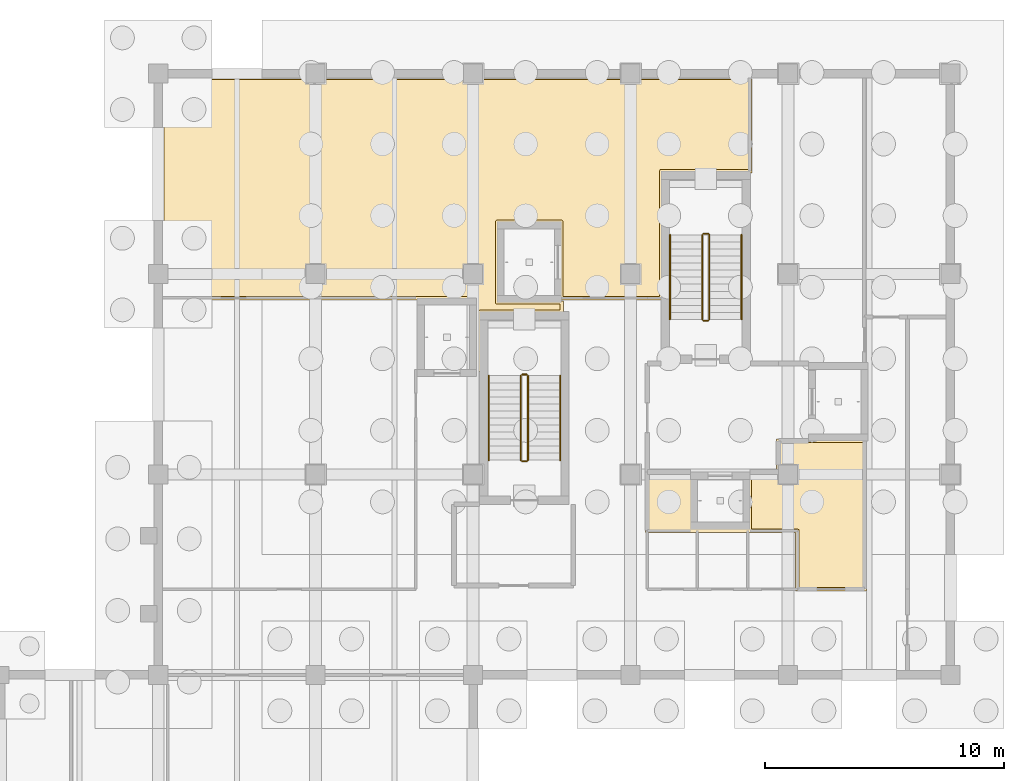
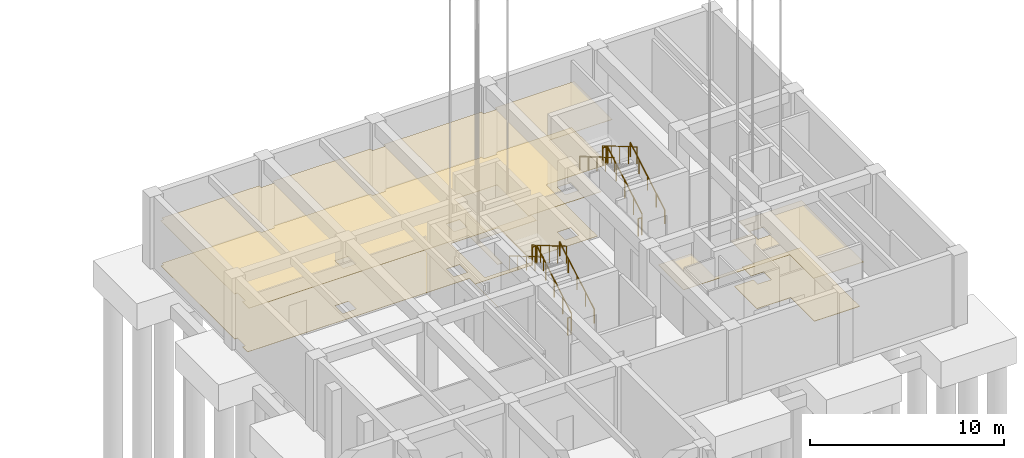
# One storey, part 44 of 44: 12 railings, 4 coverings.
"""IFC4 building model written with IfcOpenShell, lengths in metres."""

from ifc_helpers import new_model, si_unit, direction, frame, origin, origin_2d, place, context, subcontext, project, spatial, polyline, circle, outline, extrude, material, layer, layer_set, type_object, element, save


model = new_model("IFC4")

# Units and contexts
model_context = context("Model", 3, precision=1e-05, world=origin(), true_north=direction((0.0, 1.0)))
body_context = subcontext(model_context, "Body", "Model", "MODEL_VIEW")
ifc_project = project(units=[si_unit("LENGTHUNIT", "METRE"), si_unit("AREAUNIT", "SQUARE_METRE"), si_unit("VOLUMEUNIT", "CUBIC_METRE"), si_unit("PLANEANGLEUNIT", "RADIAN"), si_unit("MASSUNIT", "GRAM", prefix="KILO")], contexts=[model_context])

# Site, building, storey
site_placement = place(None, origin())
site = spatial("IfcSite", under=ifc_project, at=site_placement, CompositionType="ELEMENT")
building_placement = place(site_placement, origin())
building = spatial("IfcBuilding", under=site, at=building_placement, Name="Kolvaren Faculty of Natural Sciences", CompositionType="ELEMENT")
storey_placement = place(building_placement, frame((0.0, 0.0, -4.5)))
storey = spatial("IfcBuildingStorey", under=building, at=storey_placement, Name="B01", CompositionType="ELEMENT", Elevation=-4.5)

# Coverings
ifc_material_1 = material(Name="Perforated mineral-fibre acoustic suspended ceiling tile")
ifc_layer_1 = layer(ifc_material_1, 0.02490234375)
ifc_layer_set_1 = layer_set([ifc_layer_1], Name="Perforated mineral-fibre acoustic suspended ceiling tile")
covering_type_1 = type_object("IfcCoveringType", Name="AcousticSuspendedCeiling_25", PredefinedType="CEILING", material=ifc_layer_set_1)
covering_1_placement = place(storey_placement, frame((0.0, 0.0, 2.824951171875)))
element("IfcCovering", 1, at=covering_1_placement, inside=storey, type_object=covering_type_1, Name="B01 Laser Optics and Interferometry Laboratory acoustic ceiling", PredefinedType="CEILING", context=body_context, shape_type="SweptSolid", body=[
    extrude(outline(polyline([(152.070068359375, 71.719970703125), (152.070068359375, 74.719970703125), (139.02001953125, 74.719970703125), (139.02001953125, 75.39990234375), (139.199951171875, 75.39990234375), (139.199951171875, 76.199951171875), (139.02001953125, 76.199951171875), (139.02001953125, 83.800048828125), (139.199951171875, 83.800048828125), (139.199951171875, 83.97998046875), (145.0, 83.97998046875), (145.0, 83.800048828125), (145.800048828125, 83.800048828125), (145.800048828125, 83.97998046875), (151.60009765625, 83.97998046875), (151.60009765625, 83.800048828125), (152.39990234375, 83.800048828125), (152.39990234375, 83.97998046875), (158.199951171875, 83.97998046875), (158.199951171875, 83.800048828125), (159.0, 83.800048828125), (159.0, 83.97998046875), (163.679931640625, 83.97998046875), (163.679931640625, 80.044921875), (159.955078125, 80.044921875), (159.955078125, 74.719970703125), (155.6201171875, 74.719970703125), (155.6201171875, 77.919921875), (153.080078125, 77.919921875), (153.080078125, 74.679931640625), (155.780029296875, 74.679931640625), (155.780029296875, 74.14501953125), (152.35498046875, 74.14501953125), (152.35498046875, 71.719970703125), (152.070068359375, 71.719970703125)]), holes=[polyline([(151.60009765625, 75.39990234375), (152.39990234375, 75.39990234375), (152.39990234375, 76.199951171875), (151.60009765625, 76.199951171875), (151.60009765625, 75.39990234375)]), polyline([(145.0, 76.199951171875), (145.0, 75.39990234375), (145.800048828125, 75.39990234375), (145.800048828125, 76.199951171875), (145.0, 76.199951171875)]), polyline([(158.199951171875, 76.199951171875), (158.199951171875, 75.39990234375), (159.0, 75.39990234375), (159.0, 76.199951171875), (158.199951171875, 76.199951171875)])]), origin(), (0.0, 0.0, 1.0), 0.025146484375),
])
covering_2_placement = place(storey_placement, frame((0.0, 0.0, 2.824951171875)))
element("IfcCovering", 2, at=covering_2_placement, inside=storey, type_object=covering_type_1, Name="B01 Basement Calibration Instrument Store acoustic ceiling", PredefinedType="CEILING", context=body_context, shape_type="SweptSolid", body=[
    extrude(outline(polyline([(165.52001953125, 62.52001953125), (165.52001953125, 64.969970703125), (159.219970703125, 64.969970703125), (159.219970703125, 67.580078125), (161.179931640625, 67.580078125), (161.179931640625, 65.179931640625), (163.52001953125, 65.179931640625), (163.52001953125, 67.580078125), (164.719970703125, 67.580078125), (164.719970703125, 68.8798828125), (168.47998046875, 68.8798828125), (168.47998046875, 62.52001953125), (165.52001953125, 62.52001953125)]), holes=[polyline([(164.800048828125, 67.800048828125), (164.800048828125, 67.0), (165.60009765625, 67.0), (165.60009765625, 67.800048828125), (164.800048828125, 67.800048828125)])]), origin(), (0.0, 0.0, 1.0), 0.025146484375),
])
ifc_material_2 = material(Name="Seamless chemical-resistant laboratory epoxy resin flooring")
ifc_layer_2 = layer(ifc_material_2, 0.02001953125)
ifc_layer_set_2 = layer_set([ifc_layer_2], Name="Seamless chemical-resistant laboratory epoxy resin flooring")
covering_type_2 = type_object("IfcCoveringType", Name="LabEpoxyFloorFinish_20", PredefinedType="FLOORING", material=ifc_layer_set_2)
covering_3_placement = place(storey_placement, origin())
element("IfcCovering", 3, at=covering_3_placement, inside=storey, type_object=covering_type_2, Name="B01 Laser Optics and Interferometry Laboratory floor finish", PredefinedType="FLOORING", context=body_context, shape_type="SweptSolid", body=[
    extrude(outline(polyline([(152.26904296875, 74.28466796875), (152.26318359375, 74.28369140625), (152.257568359375, 74.282470703125), (152.251953125, 74.280517578125), (152.24658203125, 74.27783203125), (152.24169921875, 74.27490234375), (152.23681640625, 74.271484375), (152.232666015625, 74.267333984375), (152.228515625, 74.26318359375), (152.22509765625, 74.25830078125), (152.22216796875, 74.25341796875), (152.219482421875, 74.248046875), (152.217529296875, 74.242431640625), (152.21630859375, 74.23681640625), (152.21533203125, 74.23095703125), (152.215087890625, 74.22509765625), (152.215087890625, 71.860107421875), (152.2099609375, 71.860107421875), (152.2099609375, 74.800048828125), (152.209716796875, 74.805908203125), (152.208740234375, 74.811767578125), (152.20751953125, 74.8173828125), (152.205322265625, 74.822998046875), (152.202880859375, 74.828369140625), (152.199951171875, 74.833251953125), (152.1962890625, 74.838134765625), (152.1923828125, 74.84228515625), (152.18798828125, 74.846435546875), (152.183349609375, 74.849853515625), (152.17822265625, 74.852783203125), (152.173095703125, 74.85546875), (152.16748046875, 74.857421875), (152.16162109375, 74.85888671875), (152.156005859375, 74.859619140625), (152.14990234375, 74.860107421875), (139.034912109375, 74.860107421875), (139.034912109375, 75.39990234375), (139.199951171875, 75.39990234375), (139.199951171875, 76.199951171875), (139.034912109375, 76.199951171875), (139.034912109375, 83.800048828125), (139.199951171875, 83.800048828125), (139.199951171875, 83.965087890625), (145.0, 83.965087890625), (145.0, 83.800048828125), (145.800048828125, 83.800048828125), (145.800048828125, 83.965087890625), (151.60009765625, 83.965087890625), (151.60009765625, 83.800048828125), (152.39990234375, 83.800048828125), (152.39990234375, 83.965087890625), (158.199951171875, 83.965087890625), (158.199951171875, 83.800048828125), (159.0, 83.800048828125), (159.0, 83.965087890625), (163.5400390625, 83.965087890625), (163.5400390625, 80.18505859375), (159.875, 80.18505859375), (159.869140625, 80.184814453125), (159.86328125, 80.183837890625), (159.857666015625, 80.182373046875), (159.85205078125, 80.180419921875), (159.8466796875, 80.177978515625), (159.841796875, 80.1748046875), (159.8369140625, 80.17138671875), (159.83251953125, 80.16748046875), (159.82861328125, 80.1630859375), (159.8251953125, 80.158203125), (159.822021484375, 80.1533203125), (159.819580078125, 80.14794921875), (159.817626953125, 80.142333984375), (159.816162109375, 80.13671875), (159.815185546875, 80.130859375), (159.81494140625, 80.125), (159.81494140625, 74.860107421875), (155.760009765625, 74.860107421875), (155.760009765625, 78.0), (155.759765625, 78.005859375), (155.7587890625, 78.01171875), (155.75732421875, 78.017333984375), (155.75537109375, 78.02294921875), (155.7529296875, 78.0283203125), (155.75, 78.033203125), (155.746337890625, 78.0380859375), (155.742431640625, 78.04248046875), (155.738037109375, 78.04638671875), (155.7333984375, 78.0498046875), (155.728271484375, 78.052978515625), (155.722900390625, 78.055419921875), (155.71728515625, 78.057373046875), (155.711669921875, 78.058837890625), (155.705810546875, 78.059814453125), (155.699951171875, 78.06005859375), (153.0, 78.06005859375), (152.994140625, 78.059814453125), (152.98828125, 78.058837890625), (152.982666015625, 78.057373046875), (152.97705078125, 78.055419921875), (152.9716796875, 78.052978515625), (152.966796875, 78.0498046875), (152.9619140625, 78.04638671875), (152.95751953125, 78.04248046875), (152.95361328125, 78.0380859375), (152.9501953125, 78.033203125), (152.947021484375, 78.0283203125), (152.944580078125, 78.02294921875), (152.942626953125, 78.017333984375), (152.941162109375, 78.01171875), (152.940185546875, 78.005859375), (152.93994140625, 78.0), (152.93994140625, 74.60009765625), (152.940185546875, 74.593994140625), (152.941162109375, 74.58837890625), (152.942626953125, 74.58251953125), (152.944580078125, 74.576904296875), (152.947021484375, 74.57177734375), (152.9501953125, 74.566650390625), (152.95361328125, 74.56201171875), (152.95751953125, 74.5576171875), (152.9619140625, 74.5537109375), (152.966796875, 74.550048828125), (152.9716796875, 74.547119140625), (152.97705078125, 74.544677734375), (152.982666015625, 74.54248046875), (152.98828125, 74.541259765625), (152.994140625, 74.540283203125), (153.0, 74.5400390625), (155.639892578125, 74.5400390625), (155.639892578125, 74.284912109375), (152.27490234375, 74.284912109375), (152.26904296875, 74.28466796875)]), holes=[polyline([(151.60009765625, 75.39990234375), (152.39990234375, 75.39990234375), (152.39990234375, 76.199951171875), (151.60009765625, 76.199951171875), (151.60009765625, 75.39990234375)]), polyline([(145.0, 76.199951171875), (145.0, 75.39990234375), (145.800048828125, 75.39990234375), (145.800048828125, 76.199951171875), (145.0, 76.199951171875)]), polyline([(158.199951171875, 76.199951171875), (158.199951171875, 75.39990234375), (159.0, 75.39990234375), (159.0, 76.199951171875), (158.199951171875, 76.199951171875)])]), origin(), (0.0, 0.0, 1.0), 0.02001953125),
])

# Railings
ifc_material_3 = material(Name="Structural steel EN 10210-1 S355J2H", Category="steel")
ifc_layer_3 = layer(ifc_material_3, 0.048095703125)
ifc_layer_set_3 = layer_set([ifc_layer_3], Name="Structural steel EN 10210-1 S355J2H")
railing_type_1 = type_object("IfcRailingType", Name="StairPitchHandrail_920", PredefinedType="HANDRAIL", material=ifc_layer_set_3)
railing_1_placement = place(storey_placement, frame((163.25, 73.89990234375, 0.173095703125)))
element("IfcRailing", 4, at=railing_1_placement, inside=storey, type_object=railing_type_1, Name="B01 ST-1 stair handrail 1", PredefinedType="HANDRAIL", context=body_context, shape_type="SweptSolid", body=[
    extrude(circle(Radius=0.02392578125, at=origin_2d()), frame((0.0, 0.0, 0.8759765625), z_axis=(0.0, 0.862516251723, 0.506029362304), x_axis=(-1.0, 0.0, 0.0)), (0.0, 0.0, 1.0), 4.104248046875),
    extrude(circle(Radius=0.02099609375, at=origin_2d()), origin(), (0.0, 0.0, 1.0), 0.851806640625),
    extrude(circle(Radius=0.02099609375, at=origin_2d()), frame((0.0, 0.885009765625, 0.519287109375)), (0.0, 0.0, 1.0), 0.851806640625),
    extrude(circle(Radius=0.02099609375, at=origin_2d()), frame((0.0, 1.77001953125, 1.03857421875)), (0.0, 0.0, 1.0), 0.851806640625),
    extrude(circle(Radius=0.02099609375, at=origin_2d()), frame((0.0, 2.655029296875, 1.5576171875)), (0.0, 0.0, 1.0), 0.851806640625),
    extrude(circle(Radius=0.02099609375, at=origin_2d()), frame((0.0, 3.5400390625, 2.076904296875)), (0.0, 0.0, 1.0), 0.851806640625),
])
railing_2_placement = place(storey_placement, frame((160.25, 77.43994140625, 2.423095703125)))
element("IfcRailing", 5, at=railing_2_placement, inside=storey, type_object=railing_type_1, Name="B01 ST-1 stair handrail 2", PredefinedType="HANDRAIL", context=body_context, shape_type="SweptSolid", body=[
    extrude(circle(Radius=0.02392578125, at=origin_2d()), frame((0.0, 0.0, 0.8759765625), z_axis=(0.0, -0.862516251723, 0.506029362304), x_axis=(1.0, 0.0, 0.0)), (0.0, 0.0, 1.0), 4.104248046875),
    extrude(circle(Radius=0.02099609375, at=origin_2d()), origin(), (0.0, 0.0, 1.0), 0.851806640625),
    extrude(circle(Radius=0.02099609375, at=origin_2d()), frame((0.0, -0.885009765625, 0.519287109375)), (0.0, 0.0, 1.0), 0.851806640625),
    extrude(circle(Radius=0.02099609375, at=origin_2d()), frame((0.0, -1.77001953125, 1.03857421875)), (0.0, 0.0, 1.0), 0.851806640625),
    extrude(circle(Radius=0.02099609375, at=origin_2d()), frame((0.0, -2.655029296875, 1.5576171875)), (0.0, 0.0, 1.0), 0.851806640625),
    extrude(circle(Radius=0.02099609375, at=origin_2d()), frame((0.0, -3.5400390625, 2.076904296875)), (0.0, 0.0, 1.0), 0.851806640625),
])
railing_3_placement = place(storey_placement, frame((155.64990234375, 68.0, 0.173095703125)))
element("IfcRailing", 6, at=railing_3_placement, inside=storey, type_object=railing_type_1, Name="B01 ST-2 stair handrail 1", PredefinedType="HANDRAIL", context=body_context, shape_type="SweptSolid", body=[
    extrude(circle(Radius=0.02392578125, at=origin_2d()), frame((0.0, 0.0, 0.8759765625), z_axis=(0.0, 0.862516251723, 0.506029362304), x_axis=(-1.0, 0.0, 0.0)), (0.0, 0.0, 1.0), 4.104248046875),
    extrude(circle(Radius=0.02099609375, at=origin_2d()), origin(), (0.0, 0.0, 1.0), 0.851806640625),
    extrude(circle(Radius=0.02099609375, at=origin_2d()), frame((0.0, 0.885009765625, 0.519287109375)), (0.0, 0.0, 1.0), 0.851806640625),
    extrude(circle(Radius=0.02099609375, at=origin_2d()), frame((0.0, 1.77001953125, 1.03857421875)), (0.0, 0.0, 1.0), 0.851806640625),
    extrude(circle(Radius=0.02099609375, at=origin_2d()), frame((0.0, 2.655029296875, 1.5576171875)), (0.0, 0.0, 1.0), 0.851806640625),
    extrude(circle(Radius=0.02099609375, at=origin_2d()), frame((0.0, 3.5400390625, 2.076904296875)), (0.0, 0.0, 1.0), 0.851806640625),
])
railing_4_placement = place(storey_placement, frame((152.64990234375, 71.5400390625, 2.423095703125)))
element("IfcRailing", 7, at=railing_4_placement, inside=storey, type_object=railing_type_1, Name="B01 ST-2 stair handrail 2", PredefinedType="HANDRAIL", context=body_context, shape_type="SweptSolid", body=[
    extrude(circle(Radius=0.02392578125, at=origin_2d()), frame((0.0, 0.0, 0.8759765625), z_axis=(0.0, -0.862516251723, 0.506029362304), x_axis=(1.0, 0.0, 0.0)), (0.0, 0.0, 1.0), 4.104248046875),
    extrude(circle(Radius=0.02099609375, at=origin_2d()), origin(), (0.0, 0.0, 1.0), 0.851806640625),
    extrude(circle(Radius=0.02099609375, at=origin_2d()), frame((0.0, -0.885009765625, 0.519287109375)), (0.0, 0.0, 1.0), 0.851806640625),
    extrude(circle(Radius=0.02099609375, at=origin_2d()), frame((0.0, -1.77001953125, 1.03857421875)), (0.0, 0.0, 1.0), 0.851806640625),
    extrude(circle(Radius=0.02099609375, at=origin_2d()), frame((0.0, -2.655029296875, 1.5576171875)), (0.0, 0.0, 1.0), 0.851806640625),
    extrude(circle(Radius=0.02099609375, at=origin_2d()), frame((0.0, -3.5400390625, 2.076904296875)), (0.0, 0.0, 1.0), 0.851806640625),
])
ifc_layer_4 = layer(ifc_material_3, 0.048095703125)
ifc_layer_set_4 = layer_set([ifc_layer_4], Name="Structural steel EN 10210-1 S355J2H")
railing_type_2 = type_object("IfcRailingType", Name="StairWellGuard_1100", PredefinedType="BALUSTRADE", material=ifc_layer_set_4)
railing_5_placement = place(storey_placement, frame((161.89990234375, 73.89990234375, 0.173095703125)))
element("IfcRailing", 8, at=railing_5_placement, inside=storey, type_object=railing_type_2, Name="B01 ST-1 stair guard 1", PredefinedType="BALUSTRADE", context=body_context, shape_type="SweptSolid", body=[
    extrude(circle(Radius=0.02392578125, at=origin_2d()), frame((0.0, 0.0, 1.076171875), z_axis=(0.0, 0.862516251723, 0.506029362304), x_axis=(-1.0, 0.0, 0.0)), (0.0, 0.0, 1.0), 4.104248046875),
    extrude(circle(Radius=0.02099609375, at=origin_2d()), origin(), (0.0, 0.0, 1.0), 1.052001953125),
    extrude(circle(Radius=0.02099609375, at=origin_2d()), frame((0.0, 0.885009765625, 0.519287109375)), (0.0, 0.0, 1.0), 1.052001953125),
    extrude(circle(Radius=0.02099609375, at=origin_2d()), frame((0.0, 1.77001953125, 1.03857421875)), (0.0, 0.0, 1.0), 1.052001953125),
    extrude(circle(Radius=0.02099609375, at=origin_2d()), frame((0.0, 2.655029296875, 1.5576171875)), (0.0, 0.0, 1.0), 1.052001953125),
    extrude(circle(Radius=0.02099609375, at=origin_2d()), frame((0.0, 3.5400390625, 2.076904296875)), (0.0, 0.0, 1.0), 1.052001953125),
])
railing_6_placement = place(storey_placement, frame((161.85009765625, 77.489990234375, 2.25)))
element("IfcRailing", 9, at=railing_6_placement, inside=storey, type_object=railing_type_2, Name="B01 ST-1 stair guard 2", PredefinedType="BALUSTRADE", context=body_context, shape_type="SweptSolid", body=[
    extrude(circle(Radius=0.02392578125, at=origin_2d()), frame((0.0, 0.0, 1.076171875), z_axis=(-1.0, 0.0, 0.0), x_axis=(0.0, -1.0, 0.0)), (0.0, 0.0, 1.0), 0.2001953125),
    extrude(circle(Radius=0.02099609375, at=origin_2d()), origin(), (0.0, 0.0, 1.0), 1.052001953125),
    extrude(circle(Radius=0.02099609375, at=origin_2d()), frame((-0.2001953125, 0.0, 0.0)), (0.0, 0.0, 1.0), 1.052001953125),
])
railing_7_placement = place(storey_placement, frame((161.60009765625, 77.43994140625, 2.423095703125)))
element("IfcRailing", 10, at=railing_7_placement, inside=storey, type_object=railing_type_2, Name="B01 ST-1 stair guard 3", PredefinedType="BALUSTRADE", context=body_context, shape_type="SweptSolid", body=[
    extrude(circle(Radius=0.02392578125, at=origin_2d()), frame((0.0, 0.0, 1.076171875), z_axis=(0.0, -0.862516251723, 0.506029362304), x_axis=(1.0, 0.0, 0.0)), (0.0, 0.0, 1.0), 4.104248046875),
    extrude(circle(Radius=0.02099609375, at=origin_2d()), origin(), (0.0, 0.0, 1.0), 1.052001953125),
    extrude(circle(Radius=0.02099609375, at=origin_2d()), frame((0.0, -0.885009765625, 0.519287109375)), (0.0, 0.0, 1.0), 1.052001953125),
    extrude(circle(Radius=0.02099609375, at=origin_2d()), frame((0.0, -1.77001953125, 1.03857421875)), (0.0, 0.0, 1.0), 1.052001953125),
    extrude(circle(Radius=0.02099609375, at=origin_2d()), frame((0.0, -2.655029296875, 1.5576171875)), (0.0, 0.0, 1.0), 1.052001953125),
    extrude(circle(Radius=0.02099609375, at=origin_2d()), frame((0.0, -3.5400390625, 2.076904296875)), (0.0, 0.0, 1.0), 1.052001953125),
])
railing_8_placement = place(storey_placement, frame((161.85009765625, 73.85009765625, 0.0)))
element("IfcRailing", 11, at=railing_8_placement, inside=storey, type_object=railing_type_2, Name="B01 ST-1 stair guard 4", PredefinedType="BALUSTRADE", context=body_context, shape_type="SweptSolid", body=[
    extrude(circle(Radius=0.02392578125, at=origin_2d()), frame((0.0, 0.0, 1.076171875), z_axis=(-1.0, 0.0, 0.0), x_axis=(0.0, -1.0, 0.0)), (0.0, 0.0, 1.0), 0.2001953125),
    extrude(circle(Radius=0.02099609375, at=origin_2d()), origin(), (0.0, 0.0, 1.0), 1.052001953125),
    extrude(circle(Radius=0.02099609375, at=origin_2d()), frame((-0.2001953125, 0.0, 0.0)), (0.0, 0.0, 1.0), 1.052001953125),
])
railing_9_placement = place(storey_placement, frame((154.300048828125, 68.0, 0.173095703125)))
element("IfcRailing", 12, at=railing_9_placement, inside=storey, type_object=railing_type_2, Name="B01 ST-2 stair guard 1", PredefinedType="BALUSTRADE", context=body_context, shape_type="SweptSolid", body=[
    extrude(circle(Radius=0.02392578125, at=origin_2d()), frame((0.0, 0.0, 1.076171875), z_axis=(0.0, 0.862516251723, 0.506029362304), x_axis=(-1.0, 0.0, 0.0)), (0.0, 0.0, 1.0), 4.104248046875),
    extrude(circle(Radius=0.02099609375, at=origin_2d()), origin(), (0.0, 0.0, 1.0), 1.052001953125),
    extrude(circle(Radius=0.02099609375, at=origin_2d()), frame((0.0, 0.885009765625, 0.519287109375)), (0.0, 0.0, 1.0), 1.052001953125),
    extrude(circle(Radius=0.02099609375, at=origin_2d()), frame((0.0, 1.77001953125, 1.03857421875)), (0.0, 0.0, 1.0), 1.052001953125),
    extrude(circle(Radius=0.02099609375, at=origin_2d()), frame((0.0, 2.655029296875, 1.5576171875)), (0.0, 0.0, 1.0), 1.052001953125),
    extrude(circle(Radius=0.02099609375, at=origin_2d()), frame((0.0, 3.5400390625, 2.076904296875)), (0.0, 0.0, 1.0), 1.052001953125),
])
railing_10_placement = place(storey_placement, frame((154.25, 71.590087890625, 2.25)))
element("IfcRailing", 13, at=railing_10_placement, inside=storey, type_object=railing_type_2, Name="B01 ST-2 stair guard 2", PredefinedType="BALUSTRADE", context=body_context, shape_type="SweptSolid", body=[
    extrude(circle(Radius=0.02392578125, at=origin_2d()), frame((0.0, 0.0, 1.076171875), z_axis=(-1.0, 0.0, 0.0), x_axis=(0.0, -1.0, 0.0)), (0.0, 0.0, 1.0), 0.199951171875),
    extrude(circle(Radius=0.02099609375, at=origin_2d()), origin(), (0.0, 0.0, 1.0), 1.052001953125),
    extrude(circle(Radius=0.02099609375, at=origin_2d()), frame((-0.199951171875, 0.0, 0.0)), (0.0, 0.0, 1.0), 1.052001953125),
])
railing_11_placement = place(storey_placement, frame((154.0, 71.5400390625, 2.423095703125)))
element("IfcRailing", 14, at=railing_11_placement, inside=storey, type_object=railing_type_2, Name="B01 ST-2 stair guard 3", PredefinedType="BALUSTRADE", context=body_context, shape_type="SweptSolid", body=[
    extrude(circle(Radius=0.02392578125, at=origin_2d()), frame((0.0, 0.0, 1.076171875), z_axis=(0.0, -0.862516251723, 0.506029362304), x_axis=(1.0, 0.0, 0.0)), (0.0, 0.0, 1.0), 4.104248046875),
    extrude(circle(Radius=0.02099609375, at=origin_2d()), origin(), (0.0, 0.0, 1.0), 1.052001953125),
    extrude(circle(Radius=0.02099609375, at=origin_2d()), frame((0.0, -0.885009765625, 0.519287109375)), (0.0, 0.0, 1.0), 1.052001953125),
    extrude(circle(Radius=0.02099609375, at=origin_2d()), frame((0.0, -1.77001953125, 1.03857421875)), (0.0, 0.0, 1.0), 1.052001953125),
    extrude(circle(Radius=0.02099609375, at=origin_2d()), frame((0.0, -2.655029296875, 1.5576171875)), (0.0, 0.0, 1.0), 1.052001953125),
    extrude(circle(Radius=0.02099609375, at=origin_2d()), frame((0.0, -3.5400390625, 2.076904296875)), (0.0, 0.0, 1.0), 1.052001953125),
])
railing_12_placement = place(storey_placement, frame((154.25, 67.949951171875, 0.0)))
element("IfcRailing", 15, at=railing_12_placement, inside=storey, type_object=railing_type_2, Name="B01 ST-2 stair guard 4", PredefinedType="BALUSTRADE", context=body_context, shape_type="SweptSolid", body=[
    extrude(circle(Radius=0.02392578125, at=origin_2d()), frame((0.0, 0.0, 1.076171875), z_axis=(-1.0, 0.0, 0.0), x_axis=(0.0, -1.0, 0.0)), (0.0, 0.0, 1.0), 0.199951171875),
    extrude(circle(Radius=0.02099609375, at=origin_2d()), origin(), (0.0, 0.0, 1.0), 1.052001953125),
    extrude(circle(Radius=0.02099609375, at=origin_2d()), frame((-0.199951171875, 0.0, 0.0)), (0.0, 0.0, 1.0), 1.052001953125),
])

# Covering
ifc_material_4 = material(Name="Polished Uruguayan grey granite terrazzo flooring", Category="masonry")
ifc_layer_5 = layer(ifc_material_4, 0.030029296875)
ifc_layer_set_5 = layer_set([ifc_layer_5], Name="Polished Uruguayan grey granite terrazzo flooring")
covering_type_3 = type_object("IfcCoveringType", Name="TerrazzoFloorFinish_30", PredefinedType="FLOORING", material=ifc_layer_set_5)
covering_4_placement = place(storey_placement, origin())
element("IfcCovering", 16, at=covering_4_placement, inside=storey, type_object=covering_type_3, Name="B01 Basement Calibration Instrument Store floor finish", PredefinedType="FLOORING", context=body_context, shape_type="SweptSolid", body=[
    extrude(outline(polyline([(163.659912109375, 67.43994140625), (164.800048828125, 67.43994140625), (164.800048828125, 67.0), (165.60009765625, 67.0), (165.60009765625, 67.800048828125), (164.860107421875, 67.800048828125), (164.860107421875, 68.739990234375), (168.340087890625, 68.739990234375), (168.340087890625, 62.659912109375), (165.659912109375, 62.659912109375), (165.659912109375, 65.050048828125), (165.65966796875, 65.055908203125), (165.65869140625, 65.061767578125), (165.657470703125, 65.0673828125), (165.655517578125, 65.072998046875), (165.65283203125, 65.078369140625), (165.64990234375, 65.083251953125), (165.646484375, 65.088134765625), (165.642333984375, 65.09228515625), (165.63818359375, 65.096435546875), (165.63330078125, 65.099853515625), (165.62841796875, 65.102783203125), (165.623046875, 65.10546875), (165.617431640625, 65.107421875), (165.61181640625, 65.10888671875), (165.60595703125, 65.109619140625), (165.60009765625, 65.110107421875), (163.659912109375, 65.110107421875), (163.659912109375, 67.43994140625)])), origin(), (0.0, 0.0, 1.0), 0.030029296875),
])

save(model, "model.ifc")
